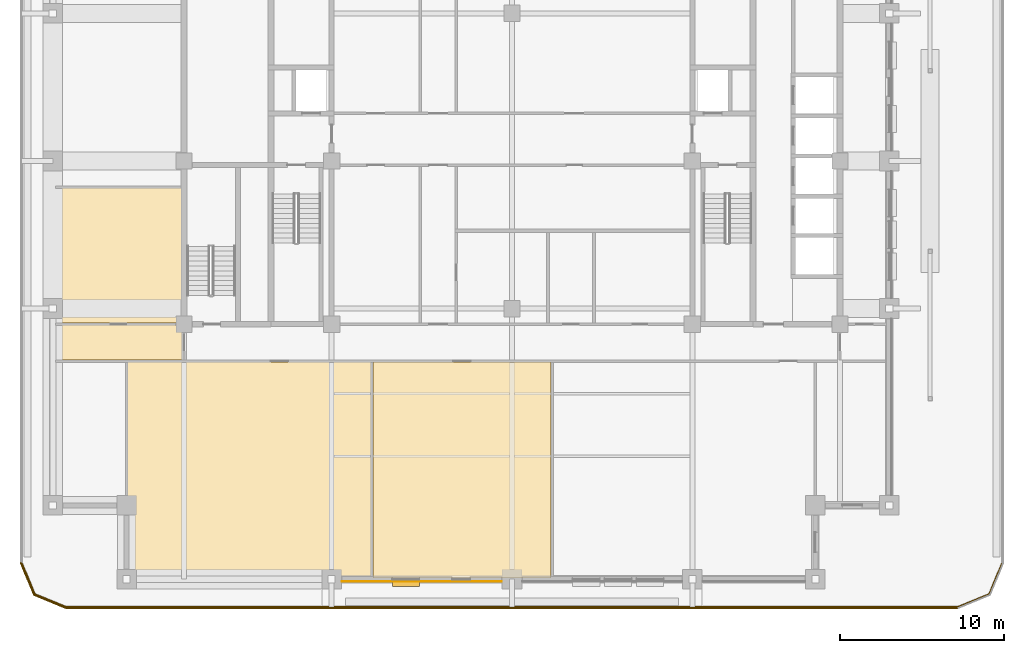
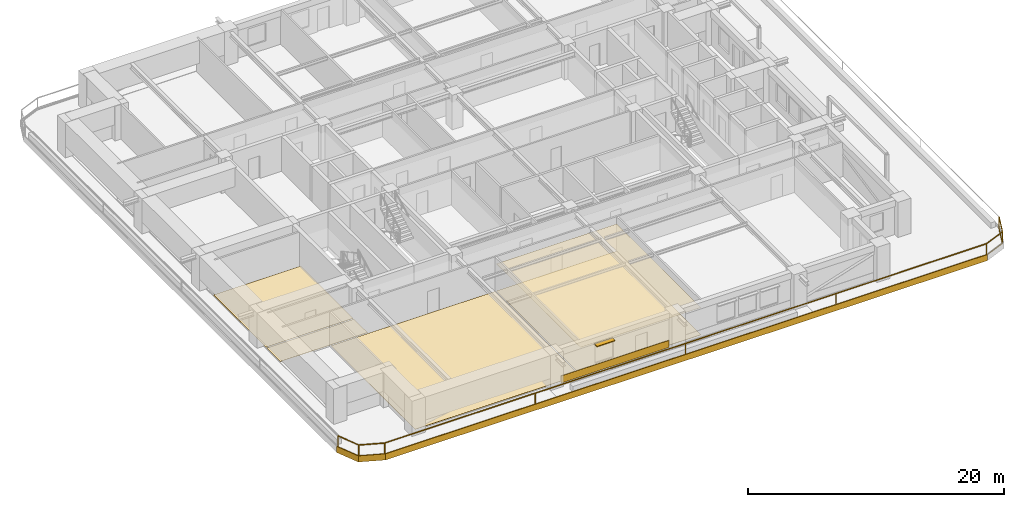
# One storey, part 10 of 17: 9 coverings, 1 railing, 1 shading device.
"""IFC4 building model written with IfcOpenShell, lengths in metres."""

from ifc_helpers import new_model, si_unit, direction, frame, frame_2d, origin, origin_2d, place, context, subcontext, project, spatial, polyline, rectangle, outline, extrude, material, layer, layer_set, type_object, element, save


model = new_model("IFC4")

# Units and contexts
model_context = context("Model", 3, precision=1e-05, world=origin(), true_north=direction((0.0, 1.0)))
body_context = subcontext(model_context, "Body", "Model", "MODEL_VIEW")
ifc_project = project(units=[si_unit("LENGTHUNIT", "METRE"), si_unit("AREAUNIT", "SQUARE_METRE"), si_unit("VOLUMEUNIT", "CUBIC_METRE"), si_unit("PLANEANGLEUNIT", "RADIAN"), si_unit("MASSUNIT", "GRAM", prefix="KILO")], contexts=[model_context])

# Site, building, storey
site_placement = place(None, origin())
site = spatial("IfcSite", under=ifc_project, at=site_placement, CompositionType="ELEMENT")
building_placement = place(site_placement, origin())
building = spatial("IfcBuilding", under=site, at=building_placement, Name="Zulmaris Gate Convention Tower", CompositionType="ELEMENT")
storey_placement = place(building_placement, frame((0.0, 0.0, 121.349853515625)))
storey = spatial("IfcBuildingStorey", under=building, at=storey_placement, Name="L30", CompositionType="ELEMENT", Elevation=121.349853515625)

# Coverings
ifc_material_1 = material(Name="Precast concrete C40/50", Category="concrete")
ifc_layer_1 = layer(ifc_material_1, 0.0400390625, Name="Precast concrete C40/50")
ifc_layer_set_1 = layer_set([ifc_layer_1], Name="Precast concrete C40/50")
covering_type_1 = type_object("IfcCoveringType", Name="CLAD-SPANDREL-PRECAST", PredefinedType="CLADDING", material=ifc_layer_set_1)
covering_1_placement = place(storey_placement, frame((-10.3701171875, -25.64990234375, 0.0), z_axis=(0.0, 0.0, 1.0), x_axis=(1.0, 0.0, 0.0)))
element("IfcCovering", 1, at=covering_1_placement, inside=storey, type_object=covering_type_1, Name="CLD-L30-S-1_0", PredefinedType="CLADDING", context=body_context, shape_type="SweptSolid", body=[
    extrude(rectangle(XDim=9.740234375, YDim=0.0400390625, at=frame_2d((4.8701171875, 0.0))), origin(), (0.0, 0.0, 1.0), 0.679931640625),
])
ifc_material_2 = material(Name="White Glazed Architectural Precast Concrete C40/50", Category="concrete")
ifc_layer_2 = layer(ifc_material_2, 0.080078125, Name="White Glazed Architectural Precast Concrete C40/50")
ifc_layer_set_2 = layer_set([ifc_layer_2], Name="White Glazed Architectural Precast Concrete C40/50")
covering_type_2 = type_object("IfcCoveringType", Name="CLAD-TRAY-FASCIA", PredefinedType="CLADDING", material=ifc_layer_set_2)
covering_2_placement = place(storey_placement, frame((-29.962890625, -24.484619140625, -0.46484375), z_axis=(0.0, 0.0, 1.0), x_axis=(0.382656984709, -0.923890487046, 0.0)))
element("IfcCovering", 2, at=covering_2_placement, inside=storey, type_object=covering_type_2, Name="FSC-L30-TR-00", PredefinedType="CLADDING", context=body_context, shape_type="SweptSolid", body=[
    extrude(rectangle(XDim=2.14306640625, YDim=0.080078125, at=frame_2d((1.071533203125, 0.0))), origin(), (0.0, 0.0, 1.0), 0.5849609375),
])
covering_3_placement = place(storey_placement, frame((-29.16455078125, -26.44287109375, -0.46484375), z_axis=(0.0, 0.0, 1.0), x_axis=(0.923873803533, -0.382697263049, 0.0)))
element("IfcCovering", 3, at=covering_3_placement, inside=storey, type_object=covering_type_2, Name="FSC-L30-TR-01", PredefinedType="CLADDING", context=body_context, shape_type="SweptSolid", body=[
    extrude(rectangle(XDim=2.142822265625, YDim=0.080078125, at=frame_2d((1.0712890625, 0.0))), origin(), (0.0, 0.0, 1.0), 0.5849609375),
])
covering_4_placement = place(storey_placement, frame((-27.199951171875, -27.260009765625, -0.46484375), z_axis=(0.0, 0.0, 1.0), x_axis=(1.0, 0.0, 0.0)))
element("IfcCovering", 4, at=covering_4_placement, inside=storey, type_object=covering_type_2, Name="FSC-L30-TR-02", PredefinedType="CLADDING", context=body_context, shape_type="SweptSolid", body=[
    extrude(rectangle(XDim=54.39990234375, YDim=0.080078125, at=frame_2d((27.199951171875, 0.0))), origin(), (0.0, 0.0, 1.0), 0.5849609375),
])
ifc_material_3 = material(Name="Mineral Fibre Acoustic Ceiling Tile")
ifc_layer_3 = layer(ifc_material_3, 0.02001953125, Name="Mineral Fibre Acoustic Ceiling Tile")
ifc_layer_set_3 = layer_set([ifc_layer_3], Name="Mineral Fibre Acoustic Ceiling Tile")
covering_type_3 = type_object("IfcCoveringType", Name="CLG-ACOUSTIC-600", PredefinedType="CEILING", material=ifc_layer_set_3)
covering_5_placement = place(storey_placement, frame((0.0, 0.0, 2.60302734375)))
element("IfcCovering", 5, at=covering_5_placement, inside=storey, type_object=covering_type_3, Name="CLG-L30-R37", PredefinedType="CEILING", context=body_context, shape_type="SweptSolid", body=[
    extrude(outline(polyline([(-8.489990234375, -25.43994140625), (2.389892578125, -25.43994140625), (2.389892578125, -12.260009765625), (-8.489990234375, -12.260009765625), (-8.489990234375, -25.43994140625)])), origin(), (0.0, 0.0, 1.0), 0.02001953125),
])
ifc_material_4 = material(Name="Woven Acoustic Wool Carpet Tile")
ifc_layer_4 = layer(ifc_material_4, 0.02001953125, Name="Woven Acoustic Wool Carpet Tile")
ifc_layer_set_4 = layer_set([ifc_layer_4], Name="Woven Acoustic Wool Carpet Tile")
covering_type_4 = type_object("IfcCoveringType", Name="FLR-CARPET-12", PredefinedType="FLOORING", material=ifc_layer_set_4)
covering_6_placement = place(storey_placement, origin())
element("IfcCovering", 6, at=covering_6_placement, inside=storey, type_object=covering_type_4, Name="FLR-L30-R37", PredefinedType="FLOORING", context=body_context, shape_type="SweptSolid", body=[
    extrude(outline(polyline([(-8.489990234375, -25.43994140625), (2.389892578125, -25.43994140625), (2.389892578125, -12.260009765625), (-8.489990234375, -12.260009765625), (-8.489990234375, -25.43994140625)])), origin(), (0.0, 0.0, 1.0), 0.02001953125),
])
covering_7_placement = place(storey_placement, origin())
element("IfcCovering", 7, at=covering_7_placement, inside=storey, type_object=covering_type_4, Name="FLR-L30-R47", PredefinedType="FLOORING", context=body_context, shape_type="SweptSolid", body=[
    extrude(outline(polyline([(-27.93994140625, -12.139892578125), (-20.06005859375, -12.139892578125), (-20.06005859375, -10.010009765625), (-27.93994140625, -10.010009765625), (-27.93994140625, -12.139892578125)])), origin(), (0.0, 0.0, 1.0), 0.02001953125),
])
covering_8_placement = place(storey_placement, origin())
element("IfcCovering", 8, at=covering_8_placement, inside=storey, type_object=covering_type_4, Name="FLR-L30-R49", PredefinedType="FLOORING", context=body_context, shape_type="SweptSolid", body=[
    extrude(outline(polyline([(-27.93994140625, -9.889892578125), (-20.06005859375, -9.889892578125), (-20.06005859375, -1.659912109375), (-27.93994140625, -1.659912109375), (-27.93994140625, -9.889892578125)])), origin(), (0.0, 0.0, 1.0), 0.02001953125),
])
ifc_material_5 = material(Name="Engineered Teak Parquet Flooring")
ifc_layer_5 = layer(ifc_material_5, 0.02001953125, Name="Engineered Teak Parquet Flooring")
ifc_layer_set_5 = layer_set([ifc_layer_5], Name="Engineered Teak Parquet Flooring")
covering_type_5 = type_object("IfcCoveringType", Name="FLR-TIMBER-18", PredefinedType="FLOORING", material=ifc_layer_set_5)
covering_9_placement = place(storey_placement, origin())
element("IfcCovering", 9, at=covering_9_placement, inside=storey, type_object=covering_type_5, Name="FLR-L30-R36", PredefinedType="FLOORING", context=body_context, shape_type="SweptSolid", body=[
    extrude(outline(polyline([(-23.43994140625, -25.43994140625), (-8.610107421875, -25.43994140625), (-8.610107421875, -12.260009765625), (-23.43994140625, -12.260009765625), (-23.43994140625, -25.43994140625)])), origin(), (0.0, 0.0, 1.0), 0.02001953125),
])

# Railing
ifc_material_6 = material(Name="Laminated Glass and Stainless Steel", Category="steel")
railing_type = type_object("IfcRailingType", Name="RL-BALC-1150", PredefinedType="BALUSTRADE", material=ifc_material_6)
railing_placement = place(storey_placement, frame((-29.8798828125, -24.5, -0.0400390625)))
element("IfcRailing", 10, at=railing_placement, inside=storey, type_object=railing_type, Name="RL-L30-BALC-S", PredefinedType="BALUSTRADE", context=body_context, shape_type="SweptSolid", body=[
    extrude(rectangle(XDim=0.048095703125, YDim=0.048095703125, at=origin_2d()), frame((0.0, 0.0, 1.1259765625), z_axis=(0.382670664694, -0.92388482095, 0.0), x_axis=(0.92388482095, 0.382670664694, 0.0)), (0.0, 0.0, 1.0), 2.051025390625),
    extrude(rectangle(XDim=0.048095703125, YDim=0.048095703125, at=origin_2d()), frame((0.0, 0.0, 0.02392578125), z_axis=(0.382670664694, -0.92388482095, 0.0), x_axis=(0.92388482095, 0.382670664694, 0.0)), (0.0, 0.0, 1.0), 2.051025390625),
    extrude(rectangle(XDim=0.048095703125, YDim=0.048095703125, at=origin_2d()), frame((0.784912109375, -1.89501953125, 1.1259765625), z_axis=(0.92388482095, -0.382670664694, 0.0), x_axis=(0.382670664694, 0.92388482095, 0.0)), (0.0, 0.0, 1.0), 2.051025390625),
    extrude(rectangle(XDim=0.048095703125, YDim=0.048095703125, at=origin_2d()), frame((0.784912109375, -1.89501953125, 0.02392578125), z_axis=(0.92388482095, -0.382670664694, 0.0), x_axis=(0.382670664694, 0.92388482095, 0.0)), (0.0, 0.0, 1.0), 2.051025390625),
    extrude(rectangle(XDim=0.048095703125, YDim=0.048095703125, at=origin_2d()), frame((2.679931640625, -2.679931640625, 1.1259765625), z_axis=(1.0, 0.0, 0.0), x_axis=(0.0, 1.0, 0.0)), (0.0, 0.0, 1.0), 54.39990234375),
    extrude(rectangle(XDim=0.048095703125, YDim=0.048095703125, at=origin_2d()), frame((2.679931640625, -2.679931640625, 0.02392578125), z_axis=(1.0, 0.0, 0.0), x_axis=(0.0, 1.0, 0.0)), (0.0, 0.0, 1.0), 54.39990234375),
    extrude(rectangle(XDim=0.048095703125, YDim=0.048095703125, at=origin_2d()), frame((57.079833984375, -2.679931640625, 1.1259765625), z_axis=(0.92388482095, 0.382670664694, 0.0), x_axis=(-0.382670664694, 0.92388482095, 0.0)), (0.0, 0.0, 1.0), 2.051025390625),
    extrude(rectangle(XDim=0.048095703125, YDim=0.048095703125, at=origin_2d()), frame((57.079833984375, -2.679931640625, 0.02392578125), z_axis=(0.92388482095, 0.382670664694, 0.0), x_axis=(-0.382670664694, 0.92388482095, 0.0)), (0.0, 0.0, 1.0), 2.051025390625),
    extrude(rectangle(XDim=0.048095703125, YDim=0.048095703125, at=origin_2d()), frame((58.974853515625, -1.89501953125, 1.1259765625), z_axis=(0.382670664694, 0.92388482095, 0.0), x_axis=(-0.92388482095, 0.382670664694, 0.0)), (0.0, 0.0, 1.0), 2.051025390625),
    extrude(rectangle(XDim=0.048095703125, YDim=0.048095703125, at=origin_2d()), frame((58.974853515625, -1.89501953125, 0.02392578125), z_axis=(0.382670664694, 0.92388482095, 0.0), x_axis=(-0.92388482095, 0.382670664694, 0.0)), (0.0, 0.0, 1.0), 2.051025390625),
    extrude(rectangle(XDim=0.0419921875, YDim=0.0419921875, at=origin_2d()), origin(), (0.0, 0.0, 1.0), 1.101806640625),
    extrude(rectangle(XDim=0.0419921875, YDim=0.0419921875, at=origin_2d()), frame((0.784912109375, -1.89501953125, 0.0)), (0.0, 0.0, 1.0), 1.101806640625),
    extrude(rectangle(XDim=0.0419921875, YDim=0.0419921875, at=origin_2d()), frame((2.679931640625, -2.679931640625, 0.0)), (0.0, 0.0, 1.0), 1.101806640625),
    extrude(rectangle(XDim=0.0419921875, YDim=0.0419921875, at=origin_2d()), frame((16.27978515625, -2.679931640625, 0.0)), (0.0, 0.0, 1.0), 1.101806640625),
    extrude(rectangle(XDim=0.0419921875, YDim=0.0419921875, at=origin_2d()), frame((29.8798828125, -2.679931640625, 0.0)), (0.0, 0.0, 1.0), 1.101806640625),
    extrude(rectangle(XDim=0.0419921875, YDim=0.0419921875, at=origin_2d()), frame((43.47998046875, -2.679931640625, 0.0)), (0.0, 0.0, 1.0), 1.101806640625),
    extrude(rectangle(XDim=0.0419921875, YDim=0.0419921875, at=origin_2d()), frame((57.079833984375, -2.679931640625, 0.0)), (0.0, 0.0, 1.0), 1.101806640625),
    extrude(rectangle(XDim=0.0419921875, YDim=0.0419921875, at=origin_2d()), frame((58.974853515625, -1.89501953125, 0.0)), (0.0, 0.0, 1.0), 1.101806640625),
    extrude(rectangle(XDim=0.0419921875, YDim=0.0419921875, at=origin_2d()), frame((59.759765625, 0.0, 0.0)), (0.0, 0.0, 1.0), 1.101806640625),
])

# Shading device
ifc_material_7 = material(Name="Glazed Ceramic Terracotta", Category="masonry")
ifc_layer_6 = layer(ifc_material_7, 0.070068359375, Name="Glazed Ceramic Terracotta")
ifc_layer_set_6 = layer_set([ifc_layer_6], Name="Glazed Ceramic Terracotta")
shading_device_type = type_object("IfcShadingDeviceType", Name="SHD-SUNSHADE-TC", PredefinedType="AWNING", material=ifc_layer_set_6)
shading_device_placement = place(storey_placement, frame((-7.299072265625, -25.719970703125, 2.530029296875), z_axis=(0.0, 0.0, 1.0), x_axis=(1.0, 0.0, 0.0)))
element("IfcShadingDevice", 11, at=shading_device_placement, inside=storey, type_object=shading_device_type, Name="SHD-EW-L30-S-1_0-2", PredefinedType="AWNING", context=body_context, shape_type="SweptSolid", body=[
    extrude(rectangle(XDim=1.650146484375, YDim=0.43994140625, at=frame_2d((0.8251953125, 0.0))), origin(), (0.0, 0.0, 1.0), 0.070068359375),
])

save(model, "model.ifc")
